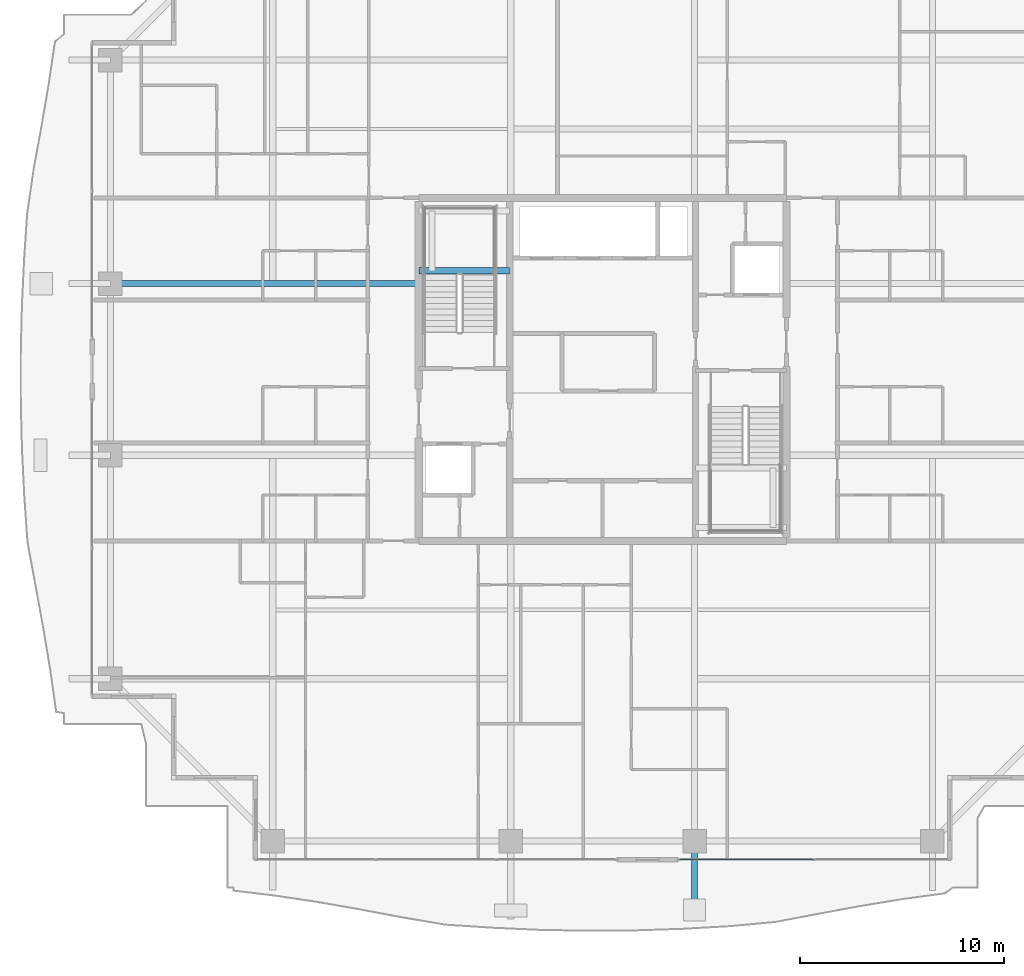
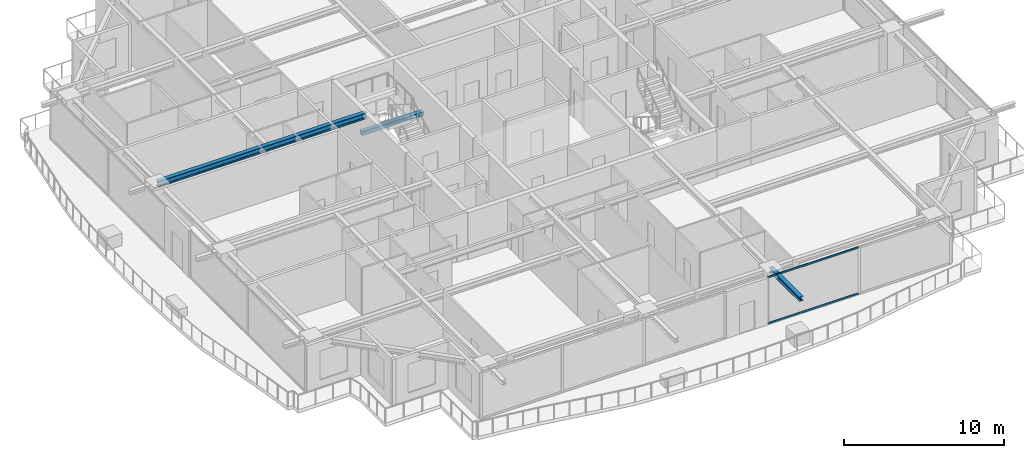
# One storey, part 11 of 36: 3 beams, 2 members, 1 element without a shape of its own.
"""IFC4 building model written with IfcOpenShell, lengths in metres."""

from ifc_helpers import new_model, si_unit, direction, frame, origin, origin_2d, place, context, subcontext, project, spatial, rectangle, hollow_rectangle, i_section, extrude, source, transform, mapped, material, layer, layer_set, material_profile, profile_set, type_object, element, aggregate, save


model = new_model("IFC4")

# Units and contexts
model_context = context("Model", 3, precision=1e-05, world=origin(), true_north=direction((0.0, 1.0)))
body_context = subcontext(model_context, "Body", "Model", "MODEL_VIEW")
ifc_project = project(units=[si_unit("LENGTHUNIT", "METRE"), si_unit("AREAUNIT", "SQUARE_METRE"), si_unit("VOLUMEUNIT", "CUBIC_METRE"), si_unit("PLANEANGLEUNIT", "RADIAN"), si_unit("MASSUNIT", "GRAM", prefix="KILO")], contexts=[model_context])

# Site, building, storey
site_placement = place(None, origin())
site = spatial("IfcSite", under=ifc_project, at=site_placement, CompositionType="ELEMENT")
building_placement = place(site_placement, origin())
building = spatial("IfcBuilding", under=site, at=building_placement, Name="Serunith Strait Residences", CompositionType="ELEMENT")
storey_placement = place(building_placement, frame((0.0, 0.0, 256.64990234375)))
storey = spatial("IfcBuildingStorey", under=building, at=storey_placement, Name="L64", CompositionType="ELEMENT", Elevation=256.64990234375)

# Beams
ifc_material_1 = material(Name="Steel S355J2", Category="steel")
ifc_material_profile_1 = material_profile(ifc_material_1, i_section(OverallWidth=0.300048828125, OverallDepth=0.449951171875, WebThickness=0.013916015625, FlangeThickness=0.02587890625, FilletRadius=0.027099609375, at=origin_2d()), Name="HEB 450")
ifc_profile_set_1 = profile_set([ifc_material_profile_1], Name="Steel S355J2")
beam_type_1 = type_object("IfcBeamType", Name="BM-HEB450", PredefinedType="BEAM", material=ifc_profile_set_1)
shared_shape_1 = source(origin(), body_context, "Body", "SweptSolid", [
    extrude(i_section(OverallWidth=0.300048828125, OverallDepth=0.449951171875, WebThickness=0.013916015625, FlangeThickness=0.02587890625, FilletRadius=0.027099609375, at=origin_2d()), origin(), (0.0, 0.0, 1.0), 15.099853515625),
])
beam_1_placement = place(storey_placement, frame((23.39990234375, 29.39990234375, 3.362060546875), z_axis=(-1.0, 0.0, 0.0), x_axis=(0.0, -1.0, 0.0)))
element("IfcBeam", 1, at=beam_1_placement, inside=storey, type_object=beam_type_1, Name="L64 Primary Floor Girder TC-W3", PredefinedType="BEAM", context=body_context, shape_type="MappedRepresentation", body=[
    mapped(shared_shape_1, transform((0.0, 0.0, 0.0), scale=1.0)),
])
ifc_material_profile_2 = material_profile(ifc_material_1, i_section(OverallWidth=0.300048828125, OverallDepth=0.320068359375, WebThickness=0.011474609375, FlangeThickness=0.0205078125, FilletRadius=0.027099609375, at=origin_2d()), Name="HEB 320")
ifc_profile_set_2 = profile_set([ifc_material_profile_2], Name="Steel S355J2")
beam_type_2 = type_object("IfcBeamType", Name="BM-HEB320", PredefinedType="BEAM", material=ifc_profile_set_2)
shared_shape_2 = source(origin(), body_context, "Body", "SweptSolid", [
    extrude(i_section(OverallWidth=0.300048828125, OverallDepth=0.320068359375, WebThickness=0.011474609375, FlangeThickness=0.0205078125, FilletRadius=0.027099609375, at=origin_2d()), origin(), (0.0, 0.0, 1.0), 3.800048828125),
])
beam_2_placement = place(storey_placement, frame((36.89990234375, 2.10009765625, 3.397216796875), z_axis=(0.0, -1.0, 0.0), x_axis=(1.0, 0.0, 0.0)))
element("IfcBeam", 2, at=beam_2_placement, inside=storey, type_object=beam_type_2, Name="L65 Cantilevered Balcony Rib TC-S3", PredefinedType="BEAM", context=body_context, shape_type="MappedRepresentation", body=[
    mapped(shared_shape_2, transform((0.0, 0.0, 0.0), scale=1.0)),
])
ifc_material_2 = material(Name="Concrete C60/75", Category="concrete")
ifc_material_profile_3 = material_profile(ifc_material_2, rectangle(XDim=0.300048828125, YDim=0.300048828125, at=origin_2d()), Name="RC 300x300")
ifc_profile_set_3 = profile_set([ifc_material_profile_3], Name="Concrete C60/75")
beam_type_3 = type_object("IfcBeamType", Name="BM-LAND-300x300", PredefinedType="BEAM", material=ifc_profile_set_3)
shared_shape_3 = source(origin(), body_context, "Body", "SweptSolid", [
    extrude(rectangle(XDim=0.300048828125, YDim=0.300048828125, at=origin_2d()), origin(), (0.0, 0.0, 1.0), 4.4501953125),
])
beam_3_placement = place(storey_placement, frame((23.39990234375, 30.030029296875, 1.5751953125), z_axis=(1.0, 0.0, 0.0), x_axis=(0.0, 1.0, 0.0)))
element("IfcBeam", 3, at=beam_3_placement, inside=storey, type_object=beam_type_3, Name="L64 ST-1 Landing Support Beam 1", PredefinedType="BEAM", context=body_context, shape_type="MappedRepresentation", body=[
    mapped(shared_shape_3, transform((0.0, 0.0, 0.0), scale=1.0)),
])

# Curtain wall, members
ifc_material_3 = material(Name="Pale-Champagne Anodised Aluminium", Category="aluminium")
ifc_layer = layer(ifc_material_3, 0.199951171875, Name="Pale-Champagne Anodised Aluminium")
ifc_layer_set = layer_set([ifc_layer], Name="Pale-Champagne Anodised Aluminium")
curtain_wall_type = type_object("IfcCurtainWallType", Name="CW-SYS4", PredefinedType="NOTDEFINED", material=ifc_layer_set)
curtain_wall_placement = place(storey_placement, origin())
curtain_wall = element("IfcCurtainWall", 4, at=curtain_wall_placement, inside=storey, type_object=curtain_wall_type, Name="L64 S Unitised Fritted Curtain Wall", PredefinedType="NOTDEFINED")
ifc_material_profile_4 = material_profile(ifc_material_3, hollow_rectangle(XDim=0.06005859375, YDim=0.139892578125, WallThickness=0.00341796875, InnerFilletRadius=0.00537109375, OuterFilletRadius=0.0087890625, at=origin_2d()), Name="ALU 140x60x3.5")
ifc_profile_set_4 = profile_set([ifc_material_profile_4], Name="Pale-Champagne Anodised Aluminium")
member_type = type_object("IfcMemberType", Name="CW-SYS4-TRAN", PredefinedType="USERDEFINED", material=ifc_profile_set_4)
shared_shape_4 = source(origin(), body_context, "Body", "SweptSolid", [
    extrude(hollow_rectangle(XDim=0.06005859375, YDim=0.139892578125, WallThickness=0.00341796875, InnerFilletRadius=0.00537109375, OuterFilletRadius=0.0087890625, at=origin_2d()), origin(), (0.0, 0.0, 1.0), 6.552490234375),
])
member_1_placement = place(storey_placement, frame((36.1650390625, 1.199951171875, 0.030029296875), z_axis=(1.0, 0.0, 0.0), x_axis=(0.0, 1.0, 0.0)))
member_1 = element("IfcMember", 5, at=member_1_placement, type_object=member_type, Name="CW-4 transom 1.1", ObjectType="TRANSOM", PredefinedType="USERDEFINED", context=body_context, shape_type="MappedRepresentation", body=[
    mapped(shared_shape_4, transform((0.0, 0.0, 0.0), scale=1.0)),
])
member_2_placement = place(storey_placement, frame((36.1650390625, 1.199951171875, 3.545166015625), z_axis=(1.0, 0.0, 0.0), x_axis=(0.0, 1.0, 0.0)))
member_2 = element("IfcMember", 6, at=member_2_placement, type_object=member_type, Name="CW-4 transom 1.2", ObjectType="TRANSOM", PredefinedType="USERDEFINED", context=body_context, shape_type="MappedRepresentation", body=[
    mapped(shared_shape_4, transform((0.0, 0.0, 0.0), scale=1.0)),
])
aggregate(curtain_wall, [member_1, member_2])

save(model, "model.ifc")
